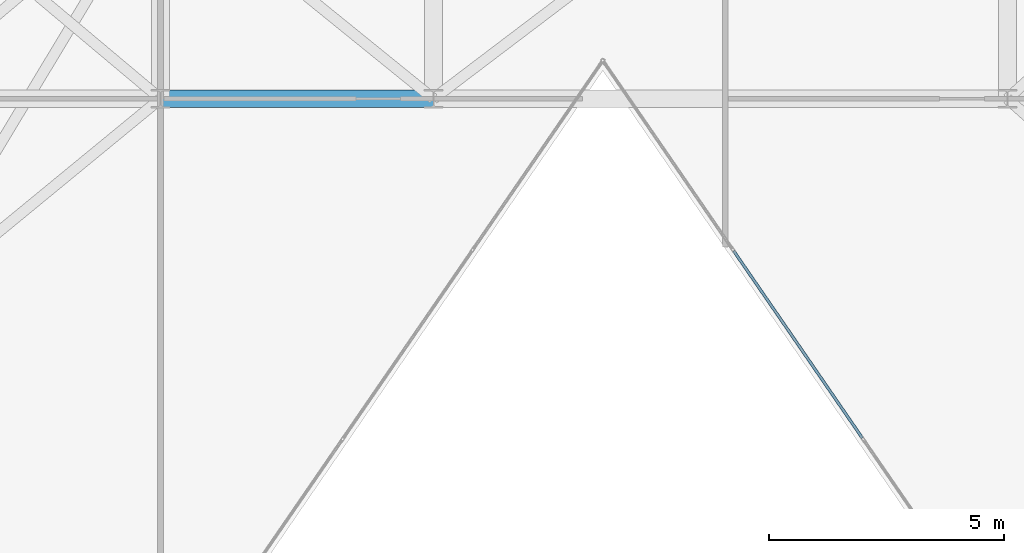
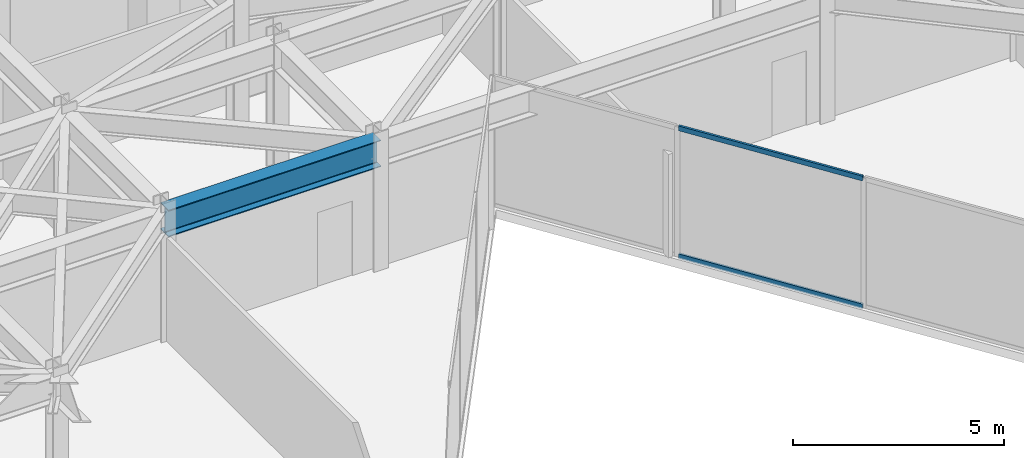
# One storey, part 5 of 21: 2 members, 1 beam, 1 element without a shape of its own.
"""IFC4 building model written with IfcOpenShell, lengths in metres."""

from ifc_helpers import new_model, si_unit, direction, frame, origin, origin_2d, place, context, subcontext, project, spatial, hollow_rectangle, i_section, extrude, material, layer, layer_set, material_profile, profile_set, type_object, element, aggregate, save


model = new_model("IFC4")

# Units and contexts
model_context = context("Model", 3, precision=1e-05, world=origin(), true_north=direction((0.0, 1.0)))
body_context = subcontext(model_context, "Body", "Model", "MODEL_VIEW")
ifc_project = project(units=[si_unit("LENGTHUNIT", "METRE"), si_unit("AREAUNIT", "SQUARE_METRE"), si_unit("VOLUMEUNIT", "CUBIC_METRE"), si_unit("PLANEANGLEUNIT", "RADIAN"), si_unit("MASSUNIT", "GRAM", prefix="KILO")], contexts=[model_context])

# Site, building, storey
site_placement = place(None, origin())
site = spatial("IfcSite", under=ifc_project, at=site_placement, CompositionType="ELEMENT")
building_placement = place(site_placement, origin())
building = spatial("IfcBuilding", under=site, at=building_placement, Name="Kravanh Interchange Tower", CompositionType="ELEMENT")
storey_placement = place(building_placement, frame((0.0, 0.0, 208.5)))
storey = spatial("IfcBuildingStorey", under=building, at=storey_placement, Name="L50", CompositionType="ELEMENT", Elevation=208.5)

# Curtain wall, members
ifc_material_1 = material(Name="Anodised Bronze Aluminium", Category="aluminium")
ifc_layer = layer(ifc_material_1, 0.179931640625)
ifc_layer_set = layer_set([ifc_layer], Name="Unitised Curtain Wall System CW-Z3 Upper Office")
curtain_wall_type = type_object("IfcCurtainWallType", Name="Unitised Curtain Wall System CW-Z3 Upper Office", PredefinedType="NOTDEFINED", material=ifc_layer_set)
curtain_wall_placement = place(storey_placement, origin())
curtain_wall = element("IfcCurtainWall", 1, at=curtain_wall_placement, inside=storey, type_object=curtain_wall_type, Name="L50 Unitised Curtain Wall CW-L50-03", PredefinedType="NOTDEFINED")
ifc_material_2 = material(Name="Anodised Bronze Aluminium", Category="aluminium")
ifc_material_profile_1 = material_profile(ifc_material_2, hollow_rectangle(XDim=0.06005859375, YDim=0.139892578125, WallThickness=0.00390625, at=origin_2d()), Name="ALU60X140X4")
ifc_profile_set_1 = profile_set([ifc_material_profile_1], Name="Anodised Bronze Aluminium")
member_type = type_object("IfcMemberType", Name="Curtain Wall Transom ALU60X140X4 Bronze", PredefinedType="USERDEFINED", material=ifc_profile_set_1)
member_1_placement = place(storey_placement, frame((47.714599609375, 19.590576171875, 0.030029296875), z_axis=(-0.566537417683, 0.824036015211, 0.0), x_axis=(-0.824036015211, -0.566537417683, 0.0)))
member_1 = element("IfcMember", 2, at=member_1_placement, type_object=member_type, Name="CW-Z3 transom 3.1", ObjectType="TRANSOM", PredefinedType="USERDEFINED", context=body_context, shape_type="SweptSolid", body=[
    extrude(hollow_rectangle(XDim=0.06005859375, YDim=0.139892578125, WallThickness=0.00390625, at=origin_2d()), origin(), (0.0, 0.0, 1.0), 4.822265625),
])
member_2_placement = place(storey_placement, frame((47.714599609375, 19.590576171875, 3.72509765625), z_axis=(-0.566537417683, 0.824036015211, 0.0), x_axis=(-0.824036015211, -0.566537417683, 0.0)))
member_2 = element("IfcMember", 3, at=member_2_placement, type_object=member_type, Name="CW-Z3 transom 3.2", ObjectType="TRANSOM", PredefinedType="USERDEFINED", context=body_context, shape_type="SweptSolid", body=[
    extrude(hollow_rectangle(XDim=0.06005859375, YDim=0.139892578125, WallThickness=0.00390625, at=origin_2d()), origin(), (0.0, 0.0, 1.0), 4.822265625),
])
aggregate(curtain_wall, [member_1, member_2])

# Beam
ifc_material_3 = material(Name="Structural Steel S355", Category="steel")
ifc_material_profile_2 = material_profile(ifc_material_3, i_section(OverallWidth=0.381103515625, OverallDepth=0.77294921875, WebThickness=0.0166015625, FlangeThickness=0.027099609375, FilletRadius=0.02490234375, at=origin_2d()), Name="W30X173")
ifc_profile_set_2 = profile_set([ifc_material_profile_2], Name="Structural Steel S355")
beam_type = type_object("IfcBeamType", Name="Floor Beam W30X173 Structural Steel S355", PredefinedType="BEAM", material=ifc_profile_set_2)
beam_placement = place(storey_placement, frame((32.800048828125, 26.800048828125, 3.368408203125), z_axis=(1.0, 0.0, 0.0), x_axis=(0.0, 1.0, 0.0)))
element("IfcBeam", 4, at=beam_placement, inside=storey, type_object=beam_type, Name="L50 Primary Floor Girder 42", PredefinedType="BEAM", context=body_context, shape_type="SweptSolid", body=[
    extrude(i_section(OverallWidth=0.381103515625, OverallDepth=0.77294921875, WebThickness=0.0166015625, FlangeThickness=0.027099609375, FilletRadius=0.02490234375, at=origin_2d()), origin(), (0.0, 0.0, 1.0), 5.800048828125),
])

save(model, "model.ifc")
